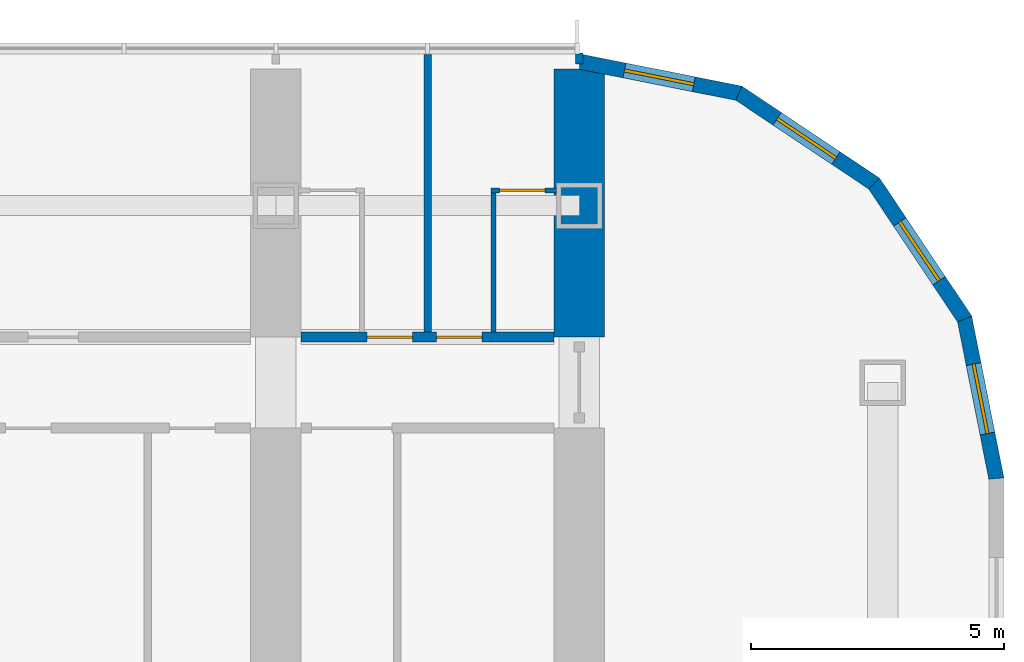
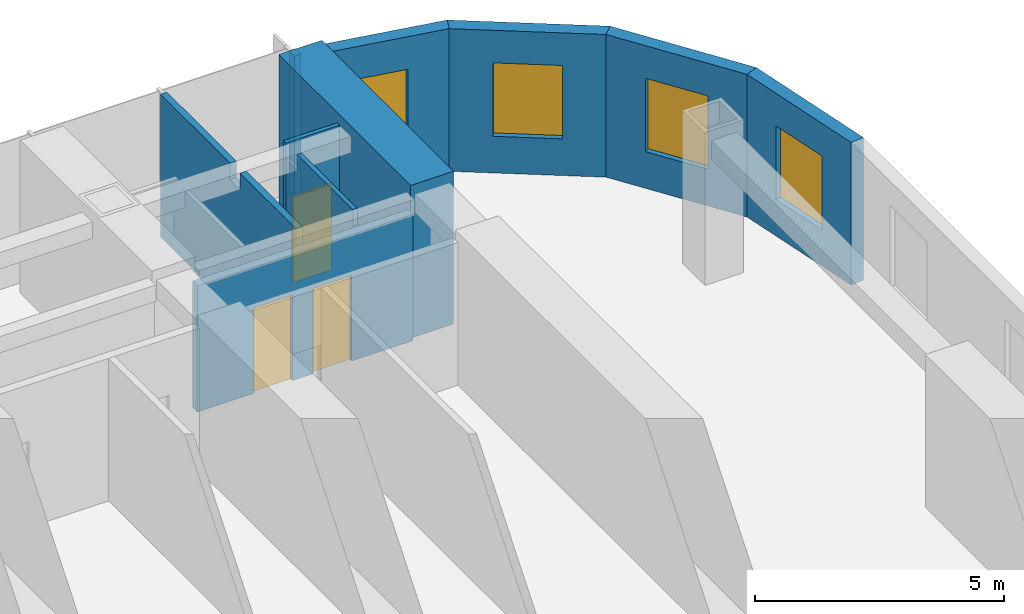
# One storey, part 18 of 23: 10 walls, 4 windows, 3 doors, 7 openings.
"""IFC4 building model written with IfcOpenShell, lengths in metres."""

from ifc_helpers import new_model, si_unit, direction, frame, frame_2d, origin, place, context, subcontext, project, spatial, polyline, rectangle, outline, extrude, material, layer, layer_set, type_object, element, fill, save


model = new_model("IFC4")

# Units and contexts
model_context = context("Model", 3, precision=1e-05, world=origin(), true_north=direction((0.0, 1.0)))
body_context = subcontext(model_context, "Body", "Model", "MODEL_VIEW")
ifc_project = project(units=[si_unit("LENGTHUNIT", "METRE"), si_unit("AREAUNIT", "SQUARE_METRE"), si_unit("VOLUMEUNIT", "CUBIC_METRE"), si_unit("PLANEANGLEUNIT", "RADIAN"), si_unit("MASSUNIT", "GRAM", prefix="KILO")], contexts=[model_context])

# Site, building, storey
site_placement = place(None, origin())
site = spatial("IfcSite", under=ifc_project, at=site_placement, CompositionType="ELEMENT")
building_placement = place(site_placement, origin())
building = spatial("IfcBuilding", under=site, at=building_placement, Name="Orbita Commons", CompositionType="ELEMENT")
storey_placement = place(building_placement, frame((0.0, 0.0, 42.699951171875)))
storey = spatial("IfcBuildingStorey", under=building, at=storey_placement, Name="L10", CompositionType="ELEMENT", Elevation=42.699951171875)

# Wall, openings, doors
ifc_material_1 = material(Name="Concrete blockwork", Category="masonry")
ifc_layer_1 = layer(ifc_material_1, 0.199951171875)
ifc_layer_set_1 = layer_set([ifc_layer_1], Name="Concrete blockwork")
wall_type_1 = type_object("IfcWallType", Name="Corridor wall 200 blockwork", PredefinedType="SOLIDWALL", material=ifc_layer_set_1)
wall_1_placement = place(storey_placement, frame((66.5, 51.0, 0.0), z_axis=(0.0, 0.0, 1.0), x_axis=(1.0, 0.0, 0.0)))
wall_1 = element("IfcWall", 1, at=wall_1_placement, inside=storey, type_object=wall_type_1, Name="Corridor wall 200 blockwork L10", PredefinedType="SOLIDWALL", context=body_context, shape_type="SweptSolid", body=[
    extrude(outline(polyline([(0.0, 0.0), (5.0, 0.0), (5.0, 3.10009765625), (0.0, 3.10009765625), (0.0, 0.0)])), frame((0.0, 0.10009765625, 0.0), z_axis=(0.0, -1.0, 0.0), x_axis=(1.0, 0.0, 0.0)), (0.0, 0.0, 1.0), 0.199951171875),
])
opening_1_placement = place(wall_1_placement, frame((1.300048828125, 0.0, 0.0)))
opening_1 = element("IfcOpeningElement", 2, at=opening_1_placement, cuts=wall_1, Name="Opening D11", PredefinedType="OPENING", context=body_context, shape_type="SweptSolid", body=[
    extrude(rectangle(XDim=0.89990234375, YDim=2.10009765625, at=frame_2d((0.449951171875, 1.050048828125))), frame((0.0, 0.10986328125, 0.0), z_axis=(0.0, -1.0, 0.0), x_axis=(1.0, 0.0, 0.0)), (0.0, 0.0, 1.0), 0.219970703125),
])
opening_2_placement = place(wall_1_placement, frame((2.675048828125, 0.0, 0.0)))
opening_2 = element("IfcOpeningElement", 3, at=opening_2_placement, cuts=wall_1, Name="Opening D11", PredefinedType="OPENING", context=body_context, shape_type="SweptSolid", body=[
    extrude(rectangle(XDim=0.89990234375, YDim=2.10009765625, at=frame_2d((0.449951171875, 1.050048828125))), frame((0.0, 0.10986328125, 0.0), z_axis=(0.0, -1.0, 0.0), x_axis=(1.0, 0.0, 0.0)), (0.0, 0.0, 1.0), 0.219970703125),
])
ifc_material_2 = material(Name="Steel-faced fire door leaf", Category="steel")
door_type_1 = type_object("IfcDoorType", Name="Corridor door 20 min 900x2100", OperationType="SINGLE_SWING_LEFT", PredefinedType="DOOR", material=ifc_material_2)
door_1_placement = place(opening_1_placement, origin())
door_1 = element("IfcDoor", 4, at=door_1_placement, inside=storey, type_object=door_type_1, Name="House bedroom L10-N18 door", OperationType="SINGLE_SWING_LEFT", OverallHeight=2.10009765625, OverallWidth=0.89990234375, PredefinedType="DOOR", context=body_context, shape_type="SweptSolid", body=[
    extrude(rectangle(XDim=0.89990234375, YDim=2.10009765625, at=frame_2d((0.449951171875, 1.050048828125))), frame((0.0, 0.02490234375, 0.0), z_axis=(0.0, -1.0, 0.0), x_axis=(1.0, 0.0, 0.0)), (0.0, 0.0, 1.0), 0.050048828125),
])
fill(opening_1, door_1)
door_2_placement = place(opening_2_placement, origin())
door_2 = element("IfcDoor", 5, at=door_2_placement, inside=storey, type_object=door_type_1, Name="House bedroom L10-N19 door", OperationType="SINGLE_SWING_LEFT", OverallHeight=2.10009765625, OverallWidth=0.89990234375, PredefinedType="DOOR", context=body_context, shape_type="SweptSolid", body=[
    extrude(rectangle(XDim=0.89990234375, YDim=2.10009765625, at=frame_2d((0.449951171875, 1.050048828125))), frame((0.0, 0.02490234375, 0.0), z_axis=(0.0, -1.0, 0.0), x_axis=(1.0, 0.0, 0.0)), (0.0, 0.0, 1.0), 0.050048828125),
])
fill(opening_2, door_2)

# Wall
ifc_material_3 = material(Name="Concrete C50/60", Category="concrete")
ifc_layer_2 = layer(ifc_material_3, 1.0)
ifc_layer_set_2 = layer_set([ifc_layer_2], Name="Concrete C50/60")
wall_type_2 = type_object("IfcWallType", Name="Cross wall 1000 C50/60", PredefinedType="SHEAR", material=ifc_layer_set_2)
wall_2_placement = place(storey_placement, frame((72.0, 51.0, 0.0), z_axis=(0.0, 0.0, 1.0), x_axis=(0.0, 1.0, 0.0)))
element("IfcWall", 6, at=wall_2_placement, inside=storey, type_object=wall_type_2, Name="Cross wall 13 north outer L10", PredefinedType="SHEAR", context=body_context, shape_type="SweptSolid", body=[
    extrude(rectangle(XDim=5.300048828125, YDim=1.0, at=frame_2d((2.64990234375, 0.0))), origin(), (0.0, 0.0, 1.0), 3.75),
])

# Wall, opening, door
ifc_material_4 = material(Name="Moisture-resistant plasterboard on steel studs", Category="steel")
ifc_layer_3 = layer(ifc_material_4, 0.10009765625)
ifc_layer_set_3 = layer_set([ifc_layer_3], Name="Moisture-resistant plasterboard on steel studs")
wall_type_3 = type_object("IfcWallType", Name="En-suite partition 100", PredefinedType="PARTITIONING", material=ifc_layer_set_3)
wall_3_placement = place(storey_placement, frame((70.25, 53.89990234375, 0.0), z_axis=(0.0, 0.0, 1.0), x_axis=(1.0, 0.0, 0.0)))
wall_3 = element("IfcWall", 7, at=wall_3_placement, inside=storey, type_object=wall_type_3, Name="En-suite partition 100 L10", PredefinedType="PARTITIONING", context=body_context, shape_type="SweptSolid", body=[
    extrude(rectangle(XDim=1.300048828125, YDim=0.10009765625, at=frame_2d((0.64990234375, 0.0))), origin(), (0.0, 0.0, 1.0), 3.5),
])
opening_3_placement = place(wall_3_placement, frame((0.175048828125, 0.0, 0.0)))
opening_3 = element("IfcOpeningElement", 8, at=opening_3_placement, cuts=wall_3, Name="Opening D09", PredefinedType="OPENING", context=body_context, shape_type="SweptSolid", body=[
    extrude(rectangle(XDim=0.89990234375, YDim=2.10009765625, at=frame_2d((0.449951171875, 1.050048828125))), frame((0.0, 0.06005859375, 0.0), z_axis=(0.0, -1.0, 0.0), x_axis=(1.0, 0.0, 0.0)), (0.0, 0.0, 1.0), 0.1201171875),
])
ifc_material_5 = material(Name="Laminated timber door leaf", Category="wood")
door_type_2 = type_object("IfcDoorType", Name="En-suite door 900x2100", OperationType="SINGLE_SWING_RIGHT", PredefinedType="DOOR", material=ifc_material_5)
door_3_placement = place(opening_3_placement, origin())
door_3 = element("IfcDoor", 9, at=door_3_placement, inside=storey, type_object=door_type_2, Name="En-suite L10-N19 door", OperationType="SINGLE_SWING_RIGHT", OverallHeight=2.10009765625, OverallWidth=0.89990234375, PredefinedType="DOOR", context=body_context, shape_type="SweptSolid", body=[
    extrude(rectangle(XDim=0.89990234375, YDim=2.10009765625, at=frame_2d((0.449951171875, 1.050048828125))), frame((0.0, 0.02490234375, 0.0), z_axis=(0.0, -1.0, 0.0), x_axis=(1.0, 0.0, 0.0)), (0.0, 0.0, 1.0), 0.050048828125),
])
fill(opening_3, door_3)

# Walls
wall_4_placement = place(storey_placement, frame((70.300048828125, 53.85009765625, 0.0), z_axis=(0.0, 0.0, 1.0), x_axis=(0.0, -1.0, 0.0)))
element("IfcWall", 10, at=wall_4_placement, inside=storey, type_object=wall_type_3, Name="En-suite partition 100 L10", PredefinedType="PARTITIONING", context=body_context, shape_type="SweptSolid", body=[
    extrude(outline(polyline([(0.0, 0.0), (2.75, 0.0), (2.75, 3.10009765625), (2.701904296875, 3.10009765625), (2.699951171875, 3.5), (0.451904296875, 3.5), (0.449951171875, 3.10009765625), (0.0, 3.10009765625), (0.0, 0.0)])), frame((0.0, 0.050048828125, 0.0), z_axis=(0.0, -1.0, 0.0), x_axis=(1.0, 0.0, 0.0)), (0.0, 0.0, 1.0), 0.10009765625),
])
ifc_material_6 = material(Name="Gypsum plasterboard on steel studs", Category="steel")
ifc_layer_4 = layer(ifc_material_6, 0.14990234375)
ifc_layer_set_4 = layer_set([ifc_layer_4], Name="Gypsum plasterboard on steel studs")
wall_type_4 = type_object("IfcWallType", Name="Partition 150 plasterboard", PredefinedType="PARTITIONING", material=ifc_layer_set_4)
wall_5_placement = place(storey_placement, frame((72.0, 56.39990234375, 0.0), z_axis=(0.0, 0.0, 1.0), x_axis=(0.0, 1.0, 0.0)))
element("IfcWall", 11, at=wall_5_placement, inside=storey, type_object=wall_type_4, Name="Partition 150 plasterboard L10", PredefinedType="PARTITIONING", context=body_context, shape_type="SweptSolid", body=[
    extrude(rectangle(XDim=0.22021484375, YDim=0.14990234375, at=frame_2d((0.110107421875, 0.0))), origin(), (0.0, 0.0, 1.0), 3.5),
])
ifc_material_7 = material(Name="Gypsum plasterboard on steel studs", Category="steel")
ifc_layer_5 = layer(ifc_material_7, 0.14990234375)
ifc_layer_set_5 = layer_set([ifc_layer_5], Name="Gypsum plasterboard on steel studs")
wall_type_5 = type_object("IfcWallType", Name="Party wall 150 plasterboard", PredefinedType="PARTITIONING", material=ifc_layer_set_5)
wall_6_placement = place(storey_placement, frame((69.0, 56.590087890625, 0.0), z_axis=(0.0, 0.0, 1.0), x_axis=(0.0, -1.0, 0.0)))
element("IfcWall", 12, at=wall_6_placement, inside=storey, type_object=wall_type_5, Name="Party wall 150 plasterboard L10", PredefinedType="PARTITIONING", context=body_context, shape_type="SweptSolid", body=[
    extrude(outline(polyline([(0.0, 0.0), (5.489990234375, 0.0), (5.489990234375, 3.10009765625), (5.44189453125, 3.10009765625), (5.43994140625, 3.5), (3.19189453125, 3.5), (3.18994140625, 3.10009765625), (2.7919921875, 3.10009765625), (2.7900390625, 3.5), (0.0, 3.5), (0.0, 0.0)])), frame((0.0, 0.074951171875, 0.0), z_axis=(0.0, -1.0, 0.0), x_axis=(1.0, 0.0, 0.0)), (0.0, 0.0, 1.0), 0.14990234375),
])

# Wall, opening, window
ifc_material_8 = material(Name="Precast concrete C40/50, white board-marked finish", Category="concrete")
ifc_layer_6 = layer(ifc_material_8, 0.300048828125)
ifc_layer_set_6 = layer_set([ifc_layer_6], Name="Precast concrete C40/50, white board-marked finish")
wall_type_6 = type_object("IfcWallType", Name="Precast concrete end shield 300", PredefinedType="SOLIDWALL", material=ifc_layer_set_6)
wall_7_placement = place(storey_placement, frame((80.25, 48.199951171875, 0.0), z_axis=(0.0, 0.0, 1.0), x_axis=(-0.195065901187, 0.980790137692, 0.0)))
wall_7 = element("IfcWall", 13, at=wall_7_placement, inside=storey, type_object=wall_type_6, Name="End shield NE chord 1 L10", PredefinedType="SOLIDWALL", context=body_context, shape_type="SweptSolid", body=[
    extrude(outline(polyline([(-0.014892578125, -0.14990234375), (3.248779296875, -0.14990234375), (3.189208984375, 0.14990234375), (0.014892578125, 0.14990234375), (-0.014892578125, -0.14990234375)])), origin(), (0.0, 0.0, 1.0), 3.5),
])
opening_4_placement = place(wall_7_placement, frame((0.909423828125, 0.0, 0.89990234375)))
opening_4 = element("IfcOpeningElement", 14, at=opening_4_placement, cuts=wall_7, Name="Opening W02", PredefinedType="OPENING", context=body_context, shape_type="SweptSolid", body=[
    extrude(rectangle(XDim=1.39990234375, YDim=1.800048828125, at=frame_2d((0.699951171875, 0.89990234375))), frame((0.0, 0.159912109375, 0.0), z_axis=(0.0, -1.0, 0.0), x_axis=(1.0, 0.0, 0.0)), (0.0, 0.0, 1.0), 0.320068359375),
])
ifc_material_9 = material(Name="Aluminium frame, clear double glazing", Category="aluminium")
window_type = type_object("IfcWindowType", Name="Deep-set window 1400x1800", PartitioningType="SINGLE_PANEL", PredefinedType="WINDOW", material=ifc_material_9)
window_1_placement = place(opening_4_placement, origin())
window_1 = element("IfcWindow", 15, at=window_1_placement, inside=storey, type_object=window_type, Name="Window L10-NE0", OverallHeight=1.800048828125, OverallWidth=1.39990234375, PartitioningType="SINGLE_PANEL", PredefinedType="WINDOW", context=body_context, shape_type="SweptSolid", body=[
    extrude(rectangle(XDim=1.39990234375, YDim=1.800048828125, at=frame_2d((0.699951171875, 0.89990234375))), frame((0.0, 0.030029296875, 0.0), z_axis=(0.0, -1.0, 0.0), x_axis=(1.0, 0.0, 0.0)), (0.0, 0.0, 1.0), 0.06005859375),
])
fill(opening_4, window_1)

wall_8_placement = place(storey_placement, frame((79.6220703125, 51.357177734375, 0.0), z_axis=(0.0, 0.0, 1.0), x_axis=(-0.555609954424, 0.831443069936, 0.0)))
wall_8 = element("IfcWall", 16, at=wall_8_placement, inside=storey, type_object=wall_type_6, Name="End shield NE chord 2 L10", PredefinedType="SOLIDWALL", context=body_context, shape_type="SweptSolid", body=[
    extrude(outline(polyline([(-0.02978515625, -0.14990234375), (3.2490234375, -0.14990234375), (3.189453125, 0.14990234375), (0.02978515625, 0.14990234375), (-0.02978515625, -0.14990234375)])), origin(), (0.0, 0.0, 1.0), 3.5),
])
opening_5_placement = place(wall_8_placement, frame((0.909423828125, 0.0, 0.89990234375)))
opening_5 = element("IfcOpeningElement", 17, at=opening_5_placement, cuts=wall_8, Name="Opening W02", PredefinedType="OPENING", context=body_context, shape_type="SweptSolid", body=[
    extrude(rectangle(XDim=1.39990234375, YDim=1.800048828125, at=frame_2d((0.699951171875, 0.89990234375))), frame((0.0, 0.159912109375, 0.0), z_axis=(0.0, -1.0, 0.0), x_axis=(1.0, 0.0, 0.0)), (0.0, 0.0, 1.0), 0.320068359375),
])
window_2_placement = place(opening_5_placement, origin())
window_2 = element("IfcWindow", 18, at=window_2_placement, inside=storey, type_object=window_type, Name="Window L10-NE1", OverallHeight=1.800048828125, OverallWidth=1.39990234375, PartitioningType="SINGLE_PANEL", PredefinedType="WINDOW", context=body_context, shape_type="SweptSolid", body=[
    extrude(rectangle(XDim=1.39990234375, YDim=1.800048828125, at=frame_2d((0.699951171875, 0.89990234375))), frame((0.0, 0.030029296875, 0.0), z_axis=(0.0, -1.0, 0.0), x_axis=(1.0, 0.0, 0.0)), (0.0, 0.0, 1.0), 0.06005859375),
])
fill(opening_5, window_2)

wall_9_placement = place(storey_placement, frame((77.83349609375, 54.03369140625, 0.0), z_axis=(0.0, 0.0, 1.0), x_axis=(-0.831478105043, 0.555557522525, 0.0)))
wall_9 = element("IfcWall", 19, at=wall_9_placement, inside=storey, type_object=wall_type_6, Name="End shield NE chord 3 L10", PredefinedType="SOLIDWALL", context=body_context, shape_type="SweptSolid", body=[
    extrude(outline(polyline([(-0.02978515625, -0.14990234375), (3.248779296875, -0.14990234375), (3.189208984375, 0.14990234375), (0.02978515625, 0.14990234375), (-0.02978515625, -0.14990234375)])), origin(), (0.0, 0.0, 1.0), 3.5),
])
opening_6_placement = place(wall_9_placement, frame((0.909423828125, 0.0, 0.89990234375)))
opening_6 = element("IfcOpeningElement", 20, at=opening_6_placement, cuts=wall_9, Name="Opening W02", PredefinedType="OPENING", context=body_context, shape_type="SweptSolid", body=[
    extrude(rectangle(XDim=1.39990234375, YDim=1.800048828125, at=frame_2d((0.699951171875, 0.89990234375))), frame((0.0, 0.159912109375, 0.0), z_axis=(0.0, -1.0, 0.0), x_axis=(1.0, 0.0, 0.0)), (0.0, 0.0, 1.0), 0.320068359375),
])
window_3_placement = place(opening_6_placement, origin())
window_3 = element("IfcWindow", 21, at=window_3_placement, inside=storey, type_object=window_type, Name="Window L10-NE2", OverallHeight=1.800048828125, OverallWidth=1.39990234375, PartitioningType="SINGLE_PANEL", PredefinedType="WINDOW", context=body_context, shape_type="SweptSolid", body=[
    extrude(rectangle(XDim=1.39990234375, YDim=1.800048828125, at=frame_2d((0.699951171875, 0.89990234375))), frame((0.0, 0.030029296875, 0.0), z_axis=(0.0, -1.0, 0.0), x_axis=(1.0, 0.0, 0.0)), (0.0, 0.0, 1.0), 0.06005859375),
])
fill(opening_6, window_3)

wall_10_placement = place(storey_placement, frame((75.156982421875, 55.822021484375, 0.0), z_axis=(0.0, 0.0, 1.0), x_axis=(-0.980787251524, 0.195080412259, 0.0)))
wall_10 = element("IfcWall", 22, at=wall_10_placement, inside=storey, type_object=wall_type_6, Name="End shield NE chord 4 L10", PredefinedType="SOLIDWALL", context=body_context, shape_type="SweptSolid", body=[
    extrude(outline(polyline([(-0.02978515625, -0.14990234375), (3.24853515625, -0.14990234375), (3.18896484375, 0.14990234375), (0.02978515625, 0.14990234375), (-0.02978515625, -0.14990234375)])), origin(), (0.0, 0.0, 1.0), 3.5),
])
opening_7_placement = place(wall_10_placement, frame((0.909423828125, 0.0, 0.89990234375)))
opening_7 = element("IfcOpeningElement", 23, at=opening_7_placement, cuts=wall_10, Name="Opening W02", PredefinedType="OPENING", context=body_context, shape_type="SweptSolid", body=[
    extrude(rectangle(XDim=1.39990234375, YDim=1.800048828125, at=frame_2d((0.699951171875, 0.89990234375))), frame((0.0, 0.159912109375, 0.0), z_axis=(0.0, -1.0, 0.0), x_axis=(1.0, 0.0, 0.0)), (0.0, 0.0, 1.0), 0.320068359375),
])
window_4_placement = place(opening_7_placement, origin())
window_4 = element("IfcWindow", 24, at=window_4_placement, inside=storey, type_object=window_type, Name="Window L10-NE3", OverallHeight=1.800048828125, OverallWidth=1.39990234375, PartitioningType="SINGLE_PANEL", PredefinedType="WINDOW", context=body_context, shape_type="SweptSolid", body=[
    extrude(rectangle(XDim=1.39990234375, YDim=1.800048828125, at=frame_2d((0.699951171875, 0.89990234375))), frame((0.0, 0.030029296875, 0.0), z_axis=(0.0, -1.0, 0.0), x_axis=(1.0, 0.0, 0.0)), (0.0, 0.0, 1.0), 0.06005859375),
])
fill(opening_7, window_4)

save(model, "model.ifc")
